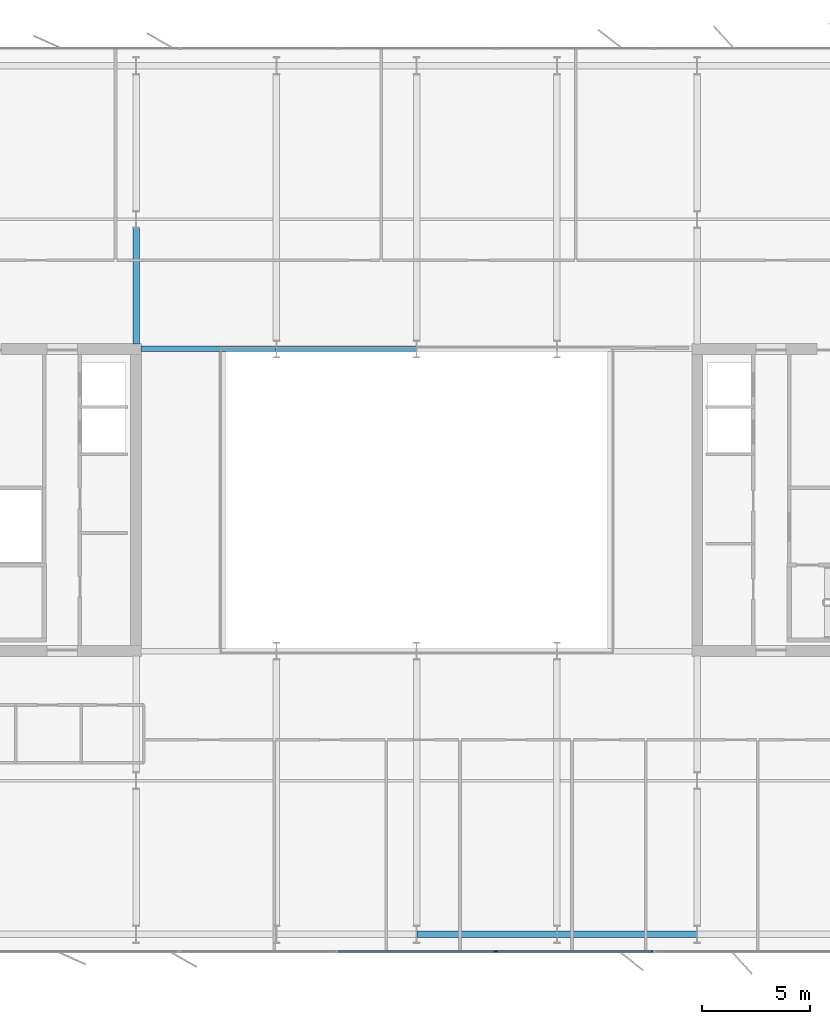
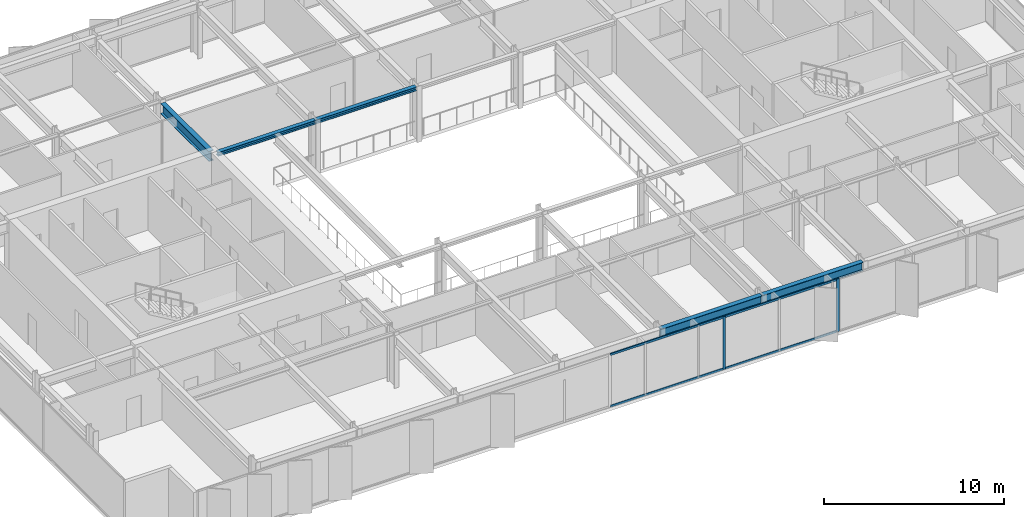
# One storey, part 6 of 24: 6 members, 5 beams, 1 element without a shape of its own.
"""IFC4 building model written with IfcOpenShell, lengths in metres."""

import ifcopenshell
import ifcopenshell.guid

model = None  # the IFC model being written
_history = None  # IfcOwnerHistory: only IFC2X3 demands one
_inside = {}  # id of a spatial element -> (the spatial element, [elements in it])
_under = {}  # id of a project, library or spatial element -> (it, [spatial elements below it])
_declared = {}  # id of a project -> (the project, [libraries it declares])
_typed = {}  # id of a type object -> (the type object, [elements of that type])
_made_of = {}  # id of a material, layer set ... -> (it, [elements and type objects made of it])


def new_model(schema):
    """Start an empty IFC model of exactly this schema.

    Asked for "IFC4X3", IfcOpenShell would pick the latest addendum, in which some entities
    have other attributes; the version numbers below select the first issue.
    IFC2X3 requires an IfcOwnerHistory on every rooted entity: one is made here for all.
    """
    global model, _history
    if schema == "IFC4X3":
        model = ifcopenshell.file(schema_version=(4, 3, 0, 0))
    else:
        model = ifcopenshell.file(schema=schema)
    _inside.clear()
    _under.clear()
    _declared.clear()
    _typed.clear()
    _made_of.clear()
    _history = None
    if model.schema == "IFC2X3":
        org = make("IfcOrganization", Name="unknown")
        user = make(
            "IfcPersonAndOrganization",
            ThePerson=make("IfcPerson", FamilyName="unknown"),
            TheOrganization=org,
        )
        app = make(
            "IfcApplication",
            ApplicationDeveloper=org,
            Version="unknown",
            ApplicationFullName="unknown",
            ApplicationIdentifier="unknown",
        )
        _history = make(
            "IfcOwnerHistory",
            OwningUser=user,
            OwningApplication=app,
            ChangeAction="ADDED",
            CreationDate=0,
        )
    return model


def make(cls, **values):
    """One entity of the class cls with the attributes given. An attribute that is None is left unset."""
    return model.create_entity(
        cls, **{name: value for name, value in values.items() if value is not None}
    )


def rooted(cls, **values):
    """An entity with a GlobalId (a new one), such as an element, a storey or a relation."""
    return make(cls, GlobalId=ifcopenshell.guid.new(), OwnerHistory=_history, **values)


def si_unit(unit_type, name, prefix=None):
    """IfcSIUnit, for example si_unit("LENGTHUNIT", "METRE", prefix="MILLI")."""
    return make("IfcSIUnit", UnitType=unit_type, Prefix=prefix, Name=name)


def assignment(units):
    """IfcUnitAssignment: the units of a project."""
    return None if units is None else make("IfcUnitAssignment", Units=units)


def point(xyz):
    """IfcCartesianPoint."""
    return None if xyz is None else make("IfcCartesianPoint", Coordinates=xyz)


def direction(xyz):
    """IfcDirection."""
    return None if xyz is None else make("IfcDirection", DirectionRatios=xyz)


def frame(location, z_axis=None, x_axis=None):
    """IfcAxis2Placement3D, a coordinate frame: its origin and axes. An axis left out is left unset."""
    return make(
        "IfcAxis2Placement3D",
        Location=point(location),
        Axis=direction(z_axis),
        RefDirection=direction(x_axis),
    )


def frame_2d(location, x_axis=None):
    """IfcAxis2Placement2D, a coordinate frame in the plane: its origin and x axis."""
    return make(
        "IfcAxis2Placement2D", Location=point(location), RefDirection=direction(x_axis)
    )


def origin():
    """The frame at (0, 0, 0) with its axes left unset."""
    return frame((0.0, 0.0, 0.0))


def origin_2d():
    """The frame at (0, 0) in the plane with its x axis left unset."""
    return frame_2d((0.0, 0.0))


def place(relative_to, where):
    """IfcLocalPlacement: puts the frame where relative to a parent placement (None: the world)."""
    return make(
        "IfcLocalPlacement", PlacementRelTo=relative_to, RelativePlacement=where
    )


def context(
    kind, dimensions, precision=None, world=None, true_north=None, identifier=None
):
    """IfcGeometricRepresentationContext, for example the 3D "Model" context."""
    return make(
        "IfcGeometricRepresentationContext",
        ContextIdentifier=identifier,
        ContextType=kind,
        CoordinateSpaceDimension=dimensions,
        Precision=precision,
        WorldCoordinateSystem=world,
        TrueNorth=true_north,
    )


def subcontext(parent, identifier, kind, view, scale=None):
    """IfcGeometricRepresentationSubContext, for example "Body" below "Model"."""
    return make(
        "IfcGeometricRepresentationSubContext",
        ContextIdentifier=identifier,
        ContextType=kind,
        ParentContext=parent,
        TargetScale=scale,
        TargetView=view,
    )


def project(units=None, contexts=None):
    """IfcProject with its units and contexts."""
    return rooted(
        "IfcProject",
        Name="project",
        RepresentationContexts=contexts,
        UnitsInContext=assignment(units),
    )


def spatial(cls, under=None, at=None, **own):
    """A site, building, storey or space (cls), placed at a placement, below another one or the project."""
    s = rooted(cls, ObjectPlacement=at, **own)
    if under is not None:
        _under.setdefault(under.id(), (under, []))[1].append(s)
    return s


def profile(cls, at=None, kind="AREA", **sizes):
    """A parametric profile (cls). Its sizes go by their IFC names, for example OverallWidth=200.0."""
    return make(cls, ProfileType=kind, Position=at, **sizes)


def rectangle(**sizes):
    """IfcRectangleProfileDef."""
    return profile("IfcRectangleProfileDef", **sizes)


def i_section(**sizes):
    """IfcIShapeProfileDef."""
    return profile("IfcIShapeProfileDef", **sizes)


def extrude(swept, where, along, depth):
    """IfcExtrudedAreaSolid: the profile swept, set in the frame where, extruded along a direction by depth."""
    return make(
        "IfcExtrudedAreaSolid",
        SweptArea=swept,
        Position=where,
        ExtrudedDirection=direction(along),
        Depth=depth,
    )


def shape(context_of_items, identifier, shape_type, items):
    """IfcShapeRepresentation: the items that make up one representation, for example the "Body"."""
    return make(
        "IfcShapeRepresentation",
        ContextOfItems=context_of_items,
        RepresentationIdentifier=identifier,
        RepresentationType=shape_type,
        Items=items,
    )


def material(Name=None, Category=None):
    """IfcMaterial."""
    return make("IfcMaterial", Name=Name, Category=Category)


def layer(
    of_material, thickness, ventilated=None, Name=None, Category=None, Priority=None
):
    """IfcMaterialLayer: one layer of a wall or slab, of a material (None: an air gap)."""
    return make(
        "IfcMaterialLayer",
        Material=of_material,
        LayerThickness=thickness,
        IsVentilated=ventilated,
        Name=Name,
        Category=Category,
        Priority=Priority,
    )


def layer_set(layers, Name=None):
    """IfcMaterialLayerSet."""
    return make("IfcMaterialLayerSet", MaterialLayers=layers, LayerSetName=Name)


def material_profile(
    of_material, cross_section, Name=None, Category=None, Priority=None
):
    """IfcMaterialProfile: a cross section and its material."""
    return make(
        "IfcMaterialProfile",
        Name=Name,
        Material=of_material,
        Profile=cross_section,
        Priority=Priority,
        Category=Category,
    )


def profile_set(profiles, Name=None, composite=None):
    """IfcMaterialProfileSet."""
    return make(
        "IfcMaterialProfileSet",
        Name=Name,
        MaterialProfiles=profiles,
        CompositeProfile=composite,
    )


def made_of(thing, what):
    """Note that an element or type object is made of a material, layer set ...; save() writes the relation."""
    if what is not None:
        _made_of.setdefault(what.id(), (what, []))[1].append(thing)
    return thing


def type_object(cls, material=None, **own):
    """A type object (cls), such as IfcWallType, which elements share."""
    return made_of(rooted(cls, **own), material)


def element(
    cls,
    number,
    at=None,
    inside=None,
    cuts=None,
    type_object=None,
    material=None,
    context=None,
    identifier="Body",
    shape_type=None,
    held_by="IfcProductDefinitionShape",
    body=None,
    shapes=None,
    **own,
):
    """One element of the class cls, such as IfcWall. Its Tag is "e" and its number.

    at: its placement. inside: the storey or other place that contains it. cuts: it is an
    opening in that element (IfcRelVoidsElement). A single representation is given by context,
    identifier, shape_type and body (its items); several are given by shapes. held_by: the class
    of the entity that holds the representations. save() writes the other relations.
    """
    e = rooted(cls, Tag="e%d" % number, ObjectPlacement=at, **own)
    if body is not None:
        shapes = [shape(context, identifier, shape_type, body)]
    if shapes is not None:
        e.Representation = make(held_by, Representations=shapes)
    if inside is not None:
        _inside.setdefault(inside.id(), (inside, []))[1].append(e)
    if cuts is not None:
        rooted(
            "IfcRelVoidsElement", RelatingBuildingElement=cuts, RelatedOpeningElement=e
        )
    if type_object is not None:
        _typed.setdefault(type_object.id(), (type_object, []))[1].append(e)
    return made_of(e, material)


def aggregate(whole, parts):
    """IfcRelAggregates: a whole, such as a stair, and the parts it consists of."""
    return rooted("IfcRelAggregates", RelatingObject=whole, RelatedObjects=parts)


def save(model, path):
    """Write the relations noted so far, then the file.

    IfcRelAggregates (storeys below a building ...), IfcRelContainedInSpatialStructure (elements
    in a storey), IfcRelDefinesByType, IfcRelAssociatesMaterial and IfcRelDeclares: one each for
    every whole, place, type object, material and project.
    """
    for whole, parts in _under.values():
        aggregate(whole, parts)
    for where, things in _inside.values():
        rooted(
            "IfcRelContainedInSpatialStructure",
            RelatedElements=things,
            RelatingStructure=where,
        )
    for kind, things in _typed.values():
        rooted("IfcRelDefinesByType", RelatedObjects=things, RelatingType=kind)
    for what, things in _made_of.values():
        rooted("IfcRelAssociatesMaterial", RelatedObjects=things, RelatingMaterial=what)
    for by, libraries in _declared.values():
        rooted("IfcRelDeclares", RelatingContext=by, RelatedDefinitions=libraries)
    model.write(path)


model = new_model("IFC4")

# Units and contexts
model_context = context("Model", 3, precision=1e-05, world=origin(), true_north=direction((0.0, 1.0)))
body_context = subcontext(model_context, "Body", "Model", "MODEL_VIEW")
ifc_project = project(units=[si_unit("LENGTHUNIT", "METRE"), si_unit("AREAUNIT", "SQUARE_METRE"), si_unit("VOLUMEUNIT", "CUBIC_METRE"), si_unit("PLANEANGLEUNIT", "RADIAN"), si_unit("MASSUNIT", "GRAM", prefix="KILO")], contexts=[model_context])

# Site, building, storey
site_placement = place(None, origin())
site = spatial("IfcSite", under=ifc_project, at=site_placement, CompositionType="ELEMENT")
building_placement = place(site_placement, origin())
building = spatial("IfcBuilding", under=site, at=building_placement, Name="Putna Gate Headquarters", CompositionType="ELEMENT")
storey_placement = place(building_placement, frame((0.0, 0.0, 240.39990234375)))
storey = spatial("IfcBuildingStorey", under=building, at=storey_placement, Name="L60", CompositionType="ELEMENT", Elevation=240.39990234375)

# Beams
ifc_material_1 = material(Name="Steel S355J2", Category="steel")
ifc_material_profile_1 = material_profile(ifc_material_1, i_section(OverallWidth=0.260009765625, OverallDepth=0.260009765625, WebThickness=0.010009765625, FlangeThickness=0.017578125, at=origin_2d()), Name="Steel S355J2")
ifc_profile_set_1 = profile_set([ifc_material_profile_1], Name="Steel S355J2")
beam_type_1 = type_object("IfcBeamType", Name="BM-ATRIUM-HEB260", PredefinedType="BEAM", material=ifc_profile_set_1)
beam_1_placement = place(storey_placement, frame((26.235107421875, 33.0, 3.4501953125), z_axis=(1.0, 0.0, 0.0), x_axis=(0.0, 1.0, 0.0)))
element("IfcBeam", 1, at=beam_1_placement, inside=storey, type_object=beam_type_1, Name="L60 Atrium Edge Beam AN1", PredefinedType="BEAM", context=body_context, shape_type="SweptSolid", body=[
    extrude(i_section(OverallWidth=0.260009765625, OverallDepth=0.260009765625, WebThickness=0.010009765625, FlangeThickness=0.017578125, at=origin_2d()), origin(), (0.0, 0.0, 1.0), 6.2587890625),
])
beam_2_placement = place(storey_placement, frame((32.506103515625, 33.0, 3.4501953125), z_axis=(1.0, 0.0, 0.0), x_axis=(0.0, 1.0, 0.0)))
element("IfcBeam", 2, at=beam_2_placement, inside=storey, type_object=beam_type_1, Name="L60 Atrium Edge Beam AN2", PredefinedType="BEAM", context=body_context, shape_type="SweptSolid", body=[
    extrude(i_section(OverallWidth=0.260009765625, OverallDepth=0.260009765625, WebThickness=0.010009765625, FlangeThickness=0.017578125, at=origin_2d()), origin(), (0.0, 0.0, 1.0), 6.48779296875),
])
ifc_material_profile_2 = material_profile(ifc_material_1, i_section(OverallWidth=0.300048828125, OverallDepth=0.699951171875, WebThickness=0.01708984375, FlangeThickness=0.031982421875, at=origin_2d()), Name="Steel S355J2")
ifc_profile_set_2 = profile_set([ifc_material_profile_2], Name="Steel S355J2")
beam_type_2 = type_object("IfcBeamType", Name="BM-GIRD-B-HEB700", PredefinedType="USERDEFINED", material=ifc_profile_set_2)
beam_3_placement = place(storey_placement, frame((26.0, 33.235107421875, 3.22998046875), z_axis=(0.0, 1.0, 0.0), x_axis=(-1.0, 0.0, 0.0)))
element("IfcBeam", 3, at=beam_3_placement, inside=storey, type_object=beam_type_2, Name="L60 North Primary Girder X26-1", ObjectType="GIRDER", PredefinedType="USERDEFINED", context=body_context, shape_type="SweptSolid", body=[
    extrude(i_section(OverallWidth=0.300048828125, OverallDepth=0.699951171875, WebThickness=0.01708984375, FlangeThickness=0.031982421875, at=origin_2d()), origin(), (0.0, 0.0, 1.0), 5.369873046875),
])
ifc_material_profile_3 = material_profile(ifc_material_1, i_section(OverallWidth=0.300048828125, OverallDepth=0.590087890625, WebThickness=0.012939453125, FlangeThickness=0.02490234375, at=origin_2d()), Name="Steel S355J2")
ifc_profile_set_3 = profile_set([ifc_material_profile_3], Name="Steel S355J2")
beam_type_3 = type_object("IfcBeamType", Name="BM-SPAN-Z4-HEA600", PredefinedType="SPANDREL", material=ifc_profile_set_3)
for number, where, z_axis, x_axis, name in (
    (4, (39.006103515625, 5.8798828125, 3.28515625), (1.0, 0.0, 0.0), (0.0, 1.0, 0.0), "L60 S Perimeter Spandrel 5"),
    (5, (45.506103515625, 5.8798828125, 3.28515625), (1.0, 0.0, 0.0), (0.0, 1.0, 0.0), "L60 S Perimeter Spandrel 6"),
):
    element("IfcBeam", number, at=place(storey_placement, frame(where, z_axis=z_axis, x_axis=x_axis)), inside=storey, type_object=beam_type_3, Name=name, PredefinedType="SPANDREL", context=body_context, shape_type="SweptSolid", body=[
        extrude(i_section(OverallWidth=0.300048828125, OverallDepth=0.590087890625, WebThickness=0.012939453125, FlangeThickness=0.02490234375, at=origin_2d()), origin(), (0.0, 0.0, 1.0), 6.48779296875),
    ])

# Curtain wall, members
ifc_material_2 = material(Name="Anodised bronze aluminium curtain wall", Category="aluminium")
ifc_layer = layer(ifc_material_2, 0.179931640625)
ifc_layer_set = layer_set([ifc_layer], Name="Anodised bronze aluminium curtain wall")
curtain_wall_type = type_object("IfcCurtainWallType", Name="CW-SYS-ATR", PredefinedType="USERDEFINED", material=ifc_layer_set)
curtain_wall_placement = place(storey_placement, origin())
curtain_wall = element("IfcCurtainWall", 6, at=curtain_wall_placement, inside=storey, type_object=curtain_wall_type, Name="L60 South Atrium Clear Glazing", ObjectType="ATRIUM GLAZING", PredefinedType="USERDEFINED")
ifc_material_3 = material(Name="Anodised bronze aluminium EN AW-6060", Category="aluminium")
ifc_material_profile_4 = material_profile(ifc_material_3, rectangle(XDim=0.070068359375, YDim=0.179931640625, at=origin_2d()), Name="Anodised bronze aluminium EN AW-6060")
ifc_profile_set_4 = profile_set([ifc_material_profile_4], Name="Anodised bronze aluminium EN AW-6060")
member_type_1 = type_object("IfcMemberType", Name="MULL-CWM-AT", PredefinedType="MULLION", material=ifc_profile_set_4)
member_1_placement = place(storey_placement, frame((42.666748046875, 5.080078125, 0.0), z_axis=(0.0, 0.0, 1.0), x_axis=(0.0, 1.0, 0.0)))
member_1 = element("IfcMember", 7, at=member_1_placement, type_object=member_type_1, Name="CWS-AT mullion 3", PredefinedType="MULLION", context=body_context, shape_type="SweptSolid", body=[
    extrude(rectangle(XDim=0.070068359375, YDim=0.179931640625, at=origin_2d()), origin(), (0.0, 0.0, 1.0), 3.580078125),
])
member_2_placement = place(storey_placement, frame((49.965087890625, 5.080078125, 0.0), z_axis=(0.0, 0.0, 1.0), x_axis=(0.0, 1.0, 0.0)))
member_2 = element("IfcMember", 8, at=member_2_placement, type_object=member_type_1, Name="CWS-AT mullion 4", PredefinedType="MULLION", context=body_context, shape_type="SweptSolid", body=[
    extrude(rectangle(XDim=0.070068359375, YDim=0.179931640625, at=origin_2d()), origin(), (0.0, 0.0, 1.0), 3.580078125),
])
ifc_material_profile_5 = material_profile(ifc_material_3, rectangle(XDim=0.070068359375, YDim=0.139892578125, at=origin_2d()), Name="Anodised bronze aluminium EN AW-6060")
ifc_profile_set_5 = profile_set([ifc_material_profile_5], Name="Anodised bronze aluminium EN AW-6060")
member_type_2 = type_object("IfcMemberType", Name="TRAN-CWT-AT", PredefinedType="USERDEFINED", material=ifc_profile_set_5)
member_3_placement = place(storey_placement, frame((35.368408203125, 5.080078125, 0.03515625), z_axis=(1.0, 0.0, 0.0), x_axis=(0.0, 1.0, 0.0)))
member_3 = element("IfcMember", 9, at=member_3_placement, type_object=member_type_2, Name="CWS-AT transom 2.1", ObjectType="TRANSOM", PredefinedType="USERDEFINED", context=body_context, shape_type="SweptSolid", body=[
    extrude(rectangle(XDim=0.070068359375, YDim=0.139892578125, at=origin_2d()), origin(), (0.0, 0.0, 1.0), 7.26318359375),
])
member_4_placement = place(storey_placement, frame((35.368408203125, 5.080078125, 3.545166015625), z_axis=(1.0, 0.0, 0.0), x_axis=(0.0, 1.0, 0.0)))
member_4 = element("IfcMember", 10, at=member_4_placement, type_object=member_type_2, Name="CWS-AT transom 2.2", ObjectType="TRANSOM", PredefinedType="USERDEFINED", context=body_context, shape_type="SweptSolid", body=[
    extrude(rectangle(XDim=0.070068359375, YDim=0.139892578125, at=origin_2d()), origin(), (0.0, 0.0, 1.0), 7.26318359375),
])
member_5_placement = place(storey_placement, frame((42.70166015625, 5.080078125, 0.03515625), z_axis=(1.0, 0.0, 0.0), x_axis=(0.0, 1.0, 0.0)))
member_5 = element("IfcMember", 11, at=member_5_placement, type_object=member_type_2, Name="CWS-AT transom 3.1", ObjectType="TRANSOM", PredefinedType="USERDEFINED", context=body_context, shape_type="SweptSolid", body=[
    extrude(rectangle(XDim=0.070068359375, YDim=0.139892578125, at=origin_2d()), origin(), (0.0, 0.0, 1.0), 7.228271484375),
])
member_6_placement = place(storey_placement, frame((42.70166015625, 5.080078125, 3.545166015625), z_axis=(1.0, 0.0, 0.0), x_axis=(0.0, 1.0, 0.0)))
member_6 = element("IfcMember", 12, at=member_6_placement, type_object=member_type_2, Name="CWS-AT transom 3.2", ObjectType="TRANSOM", PredefinedType="USERDEFINED", context=body_context, shape_type="SweptSolid", body=[
    extrude(rectangle(XDim=0.070068359375, YDim=0.139892578125, at=origin_2d()), origin(), (0.0, 0.0, 1.0), 7.228271484375),
])
aggregate(curtain_wall, [member_1, member_2, member_3, member_4, member_5, member_6])

save(model, "model.ifc")
